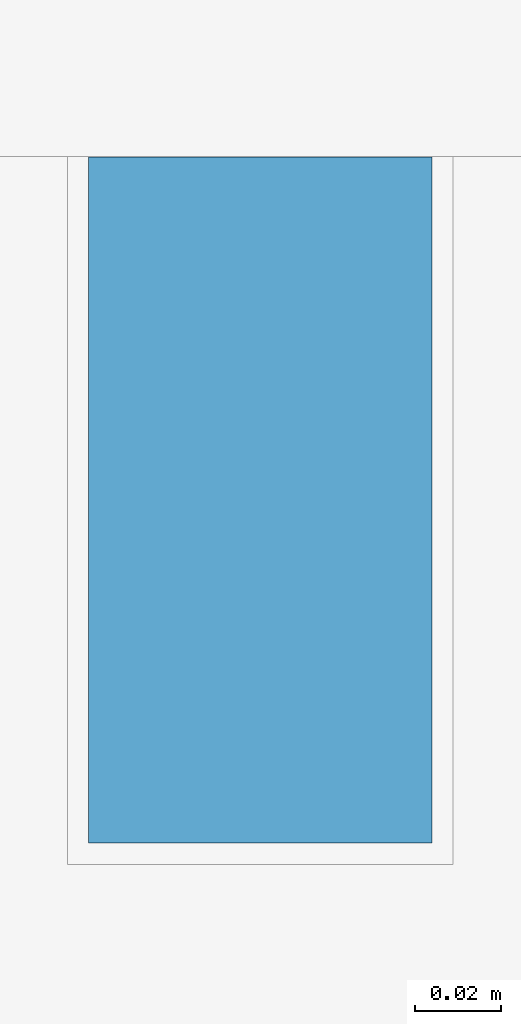
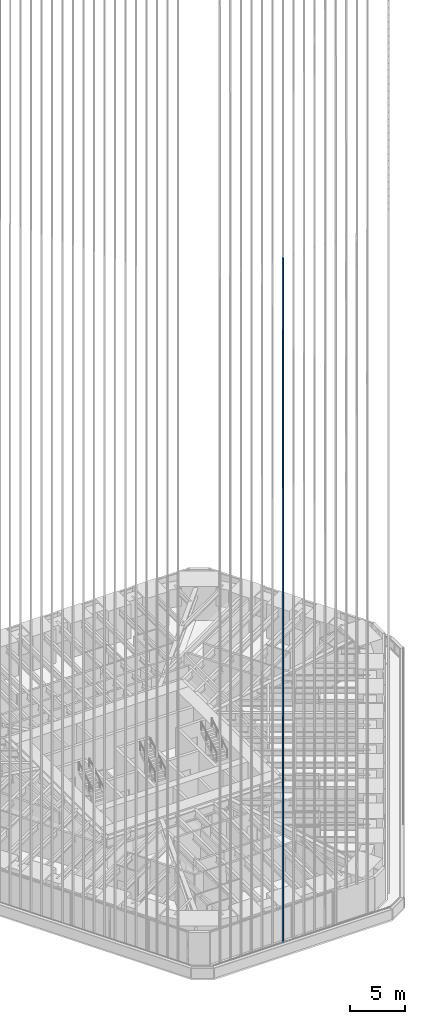
# One storey, part 25 of 238: 1 member, 1 element without a shape of its own.
"""IFC4 building model written with IfcOpenShell, lengths in metres."""

import ifcopenshell
import ifcopenshell.guid

model = None  # the IFC model being written
_history = None  # IfcOwnerHistory: only IFC2X3 demands one
_inside = {}  # id of a spatial element -> (the spatial element, [elements in it])
_under = {}  # id of a project, library or spatial element -> (it, [spatial elements below it])
_declared = {}  # id of a project -> (the project, [libraries it declares])
_typed = {}  # id of a type object -> (the type object, [elements of that type])
_made_of = {}  # id of a material, layer set ... -> (it, [elements and type objects made of it])


def new_model(schema):
    """Start an empty IFC model of exactly this schema.

    Asked for "IFC4X3", IfcOpenShell would pick the latest addendum, in which some entities
    have other attributes; the version numbers below select the first issue.
    IFC2X3 requires an IfcOwnerHistory on every rooted entity: one is made here for all.
    """
    global model, _history
    if schema == "IFC4X3":
        model = ifcopenshell.file(schema_version=(4, 3, 0, 0))
    else:
        model = ifcopenshell.file(schema=schema)
    _inside.clear()
    _under.clear()
    _declared.clear()
    _typed.clear()
    _made_of.clear()
    _history = None
    if model.schema == "IFC2X3":
        org = make("IfcOrganization", Name="unknown")
        user = make(
            "IfcPersonAndOrganization",
            ThePerson=make("IfcPerson", FamilyName="unknown"),
            TheOrganization=org,
        )
        app = make(
            "IfcApplication",
            ApplicationDeveloper=org,
            Version="unknown",
            ApplicationFullName="unknown",
            ApplicationIdentifier="unknown",
        )
        _history = make(
            "IfcOwnerHistory",
            OwningUser=user,
            OwningApplication=app,
            ChangeAction="ADDED",
            CreationDate=0,
        )
    return model


def make(cls, **values):
    """One entity of the class cls with the attributes given. An attribute that is None is left unset."""
    return model.create_entity(
        cls, **{name: value for name, value in values.items() if value is not None}
    )


def rooted(cls, **values):
    """An entity with a GlobalId (a new one), such as an element, a storey or a relation."""
    return make(cls, GlobalId=ifcopenshell.guid.new(), OwnerHistory=_history, **values)


def si_unit(unit_type, name, prefix=None):
    """IfcSIUnit, for example si_unit("LENGTHUNIT", "METRE", prefix="MILLI")."""
    return make("IfcSIUnit", UnitType=unit_type, Prefix=prefix, Name=name)


def assignment(units):
    """IfcUnitAssignment: the units of a project."""
    return None if units is None else make("IfcUnitAssignment", Units=units)


def point(xyz):
    """IfcCartesianPoint."""
    return None if xyz is None else make("IfcCartesianPoint", Coordinates=xyz)


def direction(xyz):
    """IfcDirection."""
    return None if xyz is None else make("IfcDirection", DirectionRatios=xyz)


def frame(location, z_axis=None, x_axis=None):
    """IfcAxis2Placement3D, a coordinate frame: its origin and axes. An axis left out is left unset."""
    return make(
        "IfcAxis2Placement3D",
        Location=point(location),
        Axis=direction(z_axis),
        RefDirection=direction(x_axis),
    )


def frame_2d(location, x_axis=None):
    """IfcAxis2Placement2D, a coordinate frame in the plane: its origin and x axis."""
    return make(
        "IfcAxis2Placement2D", Location=point(location), RefDirection=direction(x_axis)
    )


def origin():
    """The frame at (0, 0, 0) with its axes left unset."""
    return frame((0.0, 0.0, 0.0))


def origin_2d():
    """The frame at (0, 0) in the plane with its x axis left unset."""
    return frame_2d((0.0, 0.0))


def place(relative_to, where):
    """IfcLocalPlacement: puts the frame where relative to a parent placement (None: the world)."""
    return make(
        "IfcLocalPlacement", PlacementRelTo=relative_to, RelativePlacement=where
    )


def context(
    kind, dimensions, precision=None, world=None, true_north=None, identifier=None
):
    """IfcGeometricRepresentationContext, for example the 3D "Model" context."""
    return make(
        "IfcGeometricRepresentationContext",
        ContextIdentifier=identifier,
        ContextType=kind,
        CoordinateSpaceDimension=dimensions,
        Precision=precision,
        WorldCoordinateSystem=world,
        TrueNorth=true_north,
    )


def subcontext(parent, identifier, kind, view, scale=None):
    """IfcGeometricRepresentationSubContext, for example "Body" below "Model"."""
    return make(
        "IfcGeometricRepresentationSubContext",
        ContextIdentifier=identifier,
        ContextType=kind,
        ParentContext=parent,
        TargetScale=scale,
        TargetView=view,
    )


def project(units=None, contexts=None):
    """IfcProject with its units and contexts."""
    return rooted(
        "IfcProject",
        Name="project",
        RepresentationContexts=contexts,
        UnitsInContext=assignment(units),
    )


def spatial(cls, under=None, at=None, **own):
    """A site, building, storey or space (cls), placed at a placement, below another one or the project."""
    s = rooted(cls, ObjectPlacement=at, **own)
    if under is not None:
        _under.setdefault(under.id(), (under, []))[1].append(s)
    return s


def profile(cls, at=None, kind="AREA", **sizes):
    """A parametric profile (cls). Its sizes go by their IFC names, for example OverallWidth=200.0."""
    return make(cls, ProfileType=kind, Position=at, **sizes)


def rectangle(**sizes):
    """IfcRectangleProfileDef."""
    return profile("IfcRectangleProfileDef", **sizes)


def extrude(swept, where, along, depth):
    """IfcExtrudedAreaSolid: the profile swept, set in the frame where, extruded along a direction by depth."""
    return make(
        "IfcExtrudedAreaSolid",
        SweptArea=swept,
        Position=where,
        ExtrudedDirection=direction(along),
        Depth=depth,
    )


def shape(context_of_items, identifier, shape_type, items):
    """IfcShapeRepresentation: the items that make up one representation, for example the "Body"."""
    return make(
        "IfcShapeRepresentation",
        ContextOfItems=context_of_items,
        RepresentationIdentifier=identifier,
        RepresentationType=shape_type,
        Items=items,
    )


def material(Name=None, Category=None):
    """IfcMaterial."""
    return make("IfcMaterial", Name=Name, Category=Category)


def material_profile(
    of_material, cross_section, Name=None, Category=None, Priority=None
):
    """IfcMaterialProfile: a cross section and its material."""
    return make(
        "IfcMaterialProfile",
        Name=Name,
        Material=of_material,
        Profile=cross_section,
        Priority=Priority,
        Category=Category,
    )


def profile_set(profiles, Name=None, composite=None):
    """IfcMaterialProfileSet."""
    return make(
        "IfcMaterialProfileSet",
        Name=Name,
        MaterialProfiles=profiles,
        CompositeProfile=composite,
    )


def made_of(thing, what):
    """Note that an element or type object is made of a material, layer set ...; save() writes the relation."""
    if what is not None:
        _made_of.setdefault(what.id(), (what, []))[1].append(thing)
    return thing


def type_object(cls, material=None, **own):
    """A type object (cls), such as IfcWallType, which elements share."""
    return made_of(rooted(cls, **own), material)


def element(
    cls,
    number,
    at=None,
    inside=None,
    cuts=None,
    type_object=None,
    material=None,
    context=None,
    identifier="Body",
    shape_type=None,
    held_by="IfcProductDefinitionShape",
    body=None,
    shapes=None,
    **own,
):
    """One element of the class cls, such as IfcWall. Its Tag is "e" and its number.

    at: its placement. inside: the storey or other place that contains it. cuts: it is an
    opening in that element (IfcRelVoidsElement). A single representation is given by context,
    identifier, shape_type and body (its items); several are given by shapes. held_by: the class
    of the entity that holds the representations. save() writes the other relations.
    """
    e = rooted(cls, Tag="e%d" % number, ObjectPlacement=at, **own)
    if body is not None:
        shapes = [shape(context, identifier, shape_type, body)]
    if shapes is not None:
        e.Representation = make(held_by, Representations=shapes)
    if inside is not None:
        _inside.setdefault(inside.id(), (inside, []))[1].append(e)
    if cuts is not None:
        rooted(
            "IfcRelVoidsElement", RelatingBuildingElement=cuts, RelatedOpeningElement=e
        )
    if type_object is not None:
        _typed.setdefault(type_object.id(), (type_object, []))[1].append(e)
    return made_of(e, material)


def aggregate(whole, parts):
    """IfcRelAggregates: a whole, such as a stair, and the parts it consists of."""
    return rooted("IfcRelAggregates", RelatingObject=whole, RelatedObjects=parts)


def save(model, path):
    """Write the relations noted so far, then the file.

    IfcRelAggregates (storeys below a building ...), IfcRelContainedInSpatialStructure (elements
    in a storey), IfcRelDefinesByType, IfcRelAssociatesMaterial and IfcRelDeclares: one each for
    every whole, place, type object, material and project.
    """
    for whole, parts in _under.values():
        aggregate(whole, parts)
    for where, things in _inside.values():
        rooted(
            "IfcRelContainedInSpatialStructure",
            RelatedElements=things,
            RelatingStructure=where,
        )
    for kind, things in _typed.values():
        rooted("IfcRelDefinesByType", RelatedObjects=things, RelatingType=kind)
    for what, things in _made_of.values():
        rooted("IfcRelAssociatesMaterial", RelatedObjects=things, RelatingMaterial=what)
    for by, libraries in _declared.values():
        rooted("IfcRelDeclares", RelatingContext=by, RelatedDefinitions=libraries)
    model.write(path)


model = new_model("IFC4")

# Units and contexts
model_context = context("Model", 3, precision=1e-05, world=origin(), true_north=direction((0.0, 1.0)))
body_context = subcontext(model_context, "Body", "Model", "MODEL_VIEW")
ifc_project = project(units=[si_unit("LENGTHUNIT", "METRE"), si_unit("AREAUNIT", "SQUARE_METRE"), si_unit("VOLUMEUNIT", "CUBIC_METRE"), si_unit("PLANEANGLEUNIT", "RADIAN"), si_unit("MASSUNIT", "GRAM", prefix="KILO")], contexts=[model_context])

# Site, building, storey
site_placement = place(None, origin())
site = spatial("IfcSite", under=ifc_project, at=site_placement, CompositionType="ELEMENT")
building_placement = place(site_placement, origin())
building = spatial("IfcBuilding", under=site, at=building_placement, Name="Sandreach Pilgrim Tower", CompositionType="ELEMENT")
storey_placement = place(building_placement, frame((0.0, 0.0, 96.800048828125)))
storey = spatial("IfcBuildingStorey", under=building, at=storey_placement, Name="L23", CompositionType="ELEMENT", Elevation=96.800048828125)

# Curtain wall, member
ifc_material_1 = material(Name="Aluminium framed curtain wall", Category="aluminium")
curtain_wall_type = type_object("IfcCurtainWallType", Name="Hotel tower curtain wall", PredefinedType="NOTDEFINED", material=ifc_material_1)
curtain_wall_placement = place(storey_placement, origin())
curtain_wall = element("IfcCurtainWall", 1, at=curtain_wall_placement, inside=storey, type_object=curtain_wall_type, Name="CW-2 L23 SA", PredefinedType="NOTDEFINED")
ifc_material_2 = material(Name="Extruded terracotta on aluminium core", Category="masonry")
ifc_material_profile = material_profile(ifc_material_2, rectangle(XDim=0.080078125, YDim=0.159912109375, at=origin_2d()), Name="TBS 80X160")
ifc_profile_set = profile_set([ifc_material_profile], Name="Extruded terracotta on aluminium core")
member_type = type_object("IfcMemberType", Name="Terracotta baguette south", PredefinedType="USERDEFINED", material=ifc_profile_set)
member_placement = place(storey_placement, frame((-1.103759765625, -28.572265625, 0.0), z_axis=(0.0, 0.0, 1.0), x_axis=(-1.0, 0.0, 0.0)))
member = element("IfcMember", 2, at=member_placement, type_object=member_type, Name="Baguette Z2 S09", ObjectType="BAGUETTE", PredefinedType="USERDEFINED", context=body_context, shape_type="SweptSolid", body=[
    extrude(rectangle(XDim=0.080078125, YDim=0.159912109375, at=origin_2d()), origin(), (0.0, 0.0, 1.0), 75.83984375),
])
aggregate(curtain_wall, [member])

save(model, "model.ifc")
